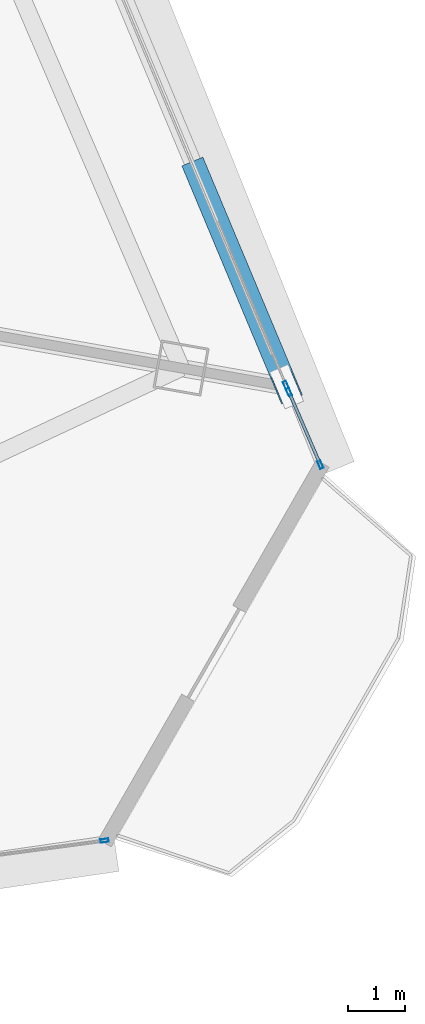
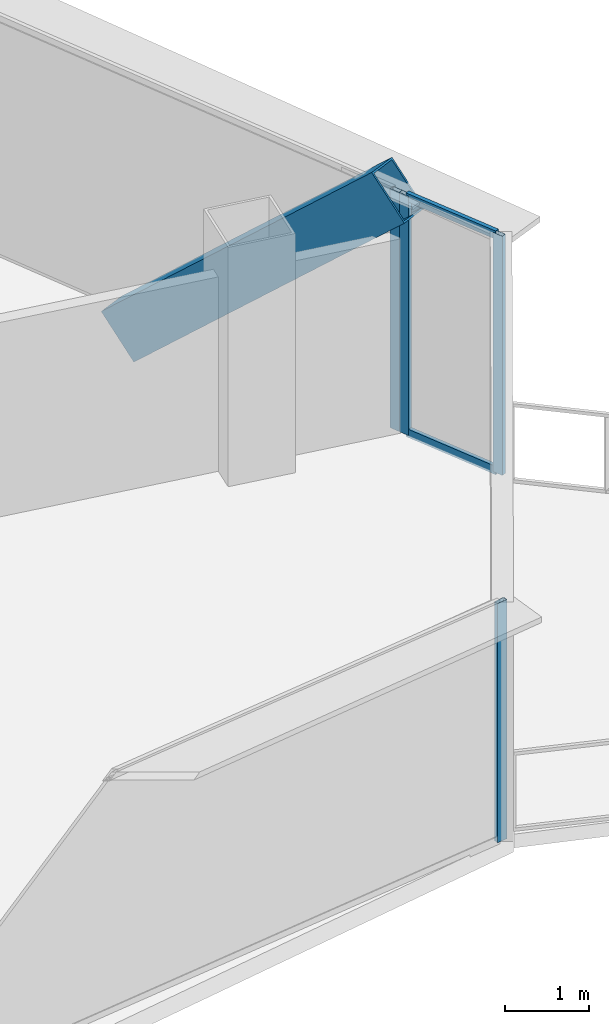
# One storey, part 27 of 37: 7 members, 3 elements without a shape of their own.
"""IFC4 building model written with IfcOpenShell, lengths in metres."""

import ifcopenshell
import ifcopenshell.guid

model = None  # the IFC model being written
_history = None  # IfcOwnerHistory: only IFC2X3 demands one
_inside = {}  # id of a spatial element -> (the spatial element, [elements in it])
_under = {}  # id of a project, library or spatial element -> (it, [spatial elements below it])
_declared = {}  # id of a project -> (the project, [libraries it declares])
_typed = {}  # id of a type object -> (the type object, [elements of that type])
_made_of = {}  # id of a material, layer set ... -> (it, [elements and type objects made of it])


def new_model(schema):
    """Start an empty IFC model of exactly this schema.

    Asked for "IFC4X3", IfcOpenShell would pick the latest addendum, in which some entities
    have other attributes; the version numbers below select the first issue.
    IFC2X3 requires an IfcOwnerHistory on every rooted entity: one is made here for all.
    """
    global model, _history
    if schema == "IFC4X3":
        model = ifcopenshell.file(schema_version=(4, 3, 0, 0))
    else:
        model = ifcopenshell.file(schema=schema)
    _inside.clear()
    _under.clear()
    _declared.clear()
    _typed.clear()
    _made_of.clear()
    _history = None
    if model.schema == "IFC2X3":
        org = make("IfcOrganization", Name="unknown")
        user = make(
            "IfcPersonAndOrganization",
            ThePerson=make("IfcPerson", FamilyName="unknown"),
            TheOrganization=org,
        )
        app = make(
            "IfcApplication",
            ApplicationDeveloper=org,
            Version="unknown",
            ApplicationFullName="unknown",
            ApplicationIdentifier="unknown",
        )
        _history = make(
            "IfcOwnerHistory",
            OwningUser=user,
            OwningApplication=app,
            ChangeAction="ADDED",
            CreationDate=0,
        )
    return model


def make(cls, **values):
    """One entity of the class cls with the attributes given. An attribute that is None is left unset."""
    return model.create_entity(
        cls, **{name: value for name, value in values.items() if value is not None}
    )


def rooted(cls, **values):
    """An entity with a GlobalId (a new one), such as an element, a storey or a relation."""
    return make(cls, GlobalId=ifcopenshell.guid.new(), OwnerHistory=_history, **values)


def si_unit(unit_type, name, prefix=None):
    """IfcSIUnit, for example si_unit("LENGTHUNIT", "METRE", prefix="MILLI")."""
    return make("IfcSIUnit", UnitType=unit_type, Prefix=prefix, Name=name)


def assignment(units):
    """IfcUnitAssignment: the units of a project."""
    return None if units is None else make("IfcUnitAssignment", Units=units)


def point(xyz):
    """IfcCartesianPoint."""
    return None if xyz is None else make("IfcCartesianPoint", Coordinates=xyz)


def direction(xyz):
    """IfcDirection."""
    return None if xyz is None else make("IfcDirection", DirectionRatios=xyz)


def frame(location, z_axis=None, x_axis=None):
    """IfcAxis2Placement3D, a coordinate frame: its origin and axes. An axis left out is left unset."""
    return make(
        "IfcAxis2Placement3D",
        Location=point(location),
        Axis=direction(z_axis),
        RefDirection=direction(x_axis),
    )


def frame_2d(location, x_axis=None):
    """IfcAxis2Placement2D, a coordinate frame in the plane: its origin and x axis."""
    return make(
        "IfcAxis2Placement2D", Location=point(location), RefDirection=direction(x_axis)
    )


def origin():
    """The frame at (0, 0, 0) with its axes left unset."""
    return frame((0.0, 0.0, 0.0))


def origin_2d():
    """The frame at (0, 0) in the plane with its x axis left unset."""
    return frame_2d((0.0, 0.0))


def place(relative_to, where):
    """IfcLocalPlacement: puts the frame where relative to a parent placement (None: the world)."""
    return make(
        "IfcLocalPlacement", PlacementRelTo=relative_to, RelativePlacement=where
    )


def context(
    kind, dimensions, precision=None, world=None, true_north=None, identifier=None
):
    """IfcGeometricRepresentationContext, for example the 3D "Model" context."""
    return make(
        "IfcGeometricRepresentationContext",
        ContextIdentifier=identifier,
        ContextType=kind,
        CoordinateSpaceDimension=dimensions,
        Precision=precision,
        WorldCoordinateSystem=world,
        TrueNorth=true_north,
    )


def subcontext(parent, identifier, kind, view, scale=None):
    """IfcGeometricRepresentationSubContext, for example "Body" below "Model"."""
    return make(
        "IfcGeometricRepresentationSubContext",
        ContextIdentifier=identifier,
        ContextType=kind,
        ParentContext=parent,
        TargetScale=scale,
        TargetView=view,
    )


def project(units=None, contexts=None):
    """IfcProject with its units and contexts."""
    return rooted(
        "IfcProject",
        Name="project",
        RepresentationContexts=contexts,
        UnitsInContext=assignment(units),
    )


def spatial(cls, under=None, at=None, **own):
    """A site, building, storey or space (cls), placed at a placement, below another one or the project."""
    s = rooted(cls, ObjectPlacement=at, **own)
    if under is not None:
        _under.setdefault(under.id(), (under, []))[1].append(s)
    return s


def profile(cls, at=None, kind="AREA", **sizes):
    """A parametric profile (cls). Its sizes go by their IFC names, for example OverallWidth=200.0."""
    return make(cls, ProfileType=kind, Position=at, **sizes)


def hollow_rectangle(**sizes):
    """IfcRectangleHollowProfileDef."""
    return profile("IfcRectangleHollowProfileDef", **sizes)


def extrude(swept, where, along, depth):
    """IfcExtrudedAreaSolid: the profile swept, set in the frame where, extruded along a direction by depth."""
    return make(
        "IfcExtrudedAreaSolid",
        SweptArea=swept,
        Position=where,
        ExtrudedDirection=direction(along),
        Depth=depth,
    )


def shape(context_of_items, identifier, shape_type, items):
    """IfcShapeRepresentation: the items that make up one representation, for example the "Body"."""
    return make(
        "IfcShapeRepresentation",
        ContextOfItems=context_of_items,
        RepresentationIdentifier=identifier,
        RepresentationType=shape_type,
        Items=items,
    )


def source(mapping_origin, context_of_items, identifier, shape_type, items):
    """IfcRepresentationMap: a shape defined once, which mapped items show again and again."""
    return make(
        "IfcRepresentationMap",
        MappingOrigin=mapping_origin,
        MappedRepresentation=shape(context_of_items, identifier, shape_type, items),
    )


def transform(
    local_origin,
    x_axis=None,
    y_axis=None,
    z_axis=None,
    scale=None,
    scale2=None,
    scale3=None,
    uniform=True,
):
    """IfcCartesianTransformationOperator3D, or its non-uniform kind. x_axis, y_axis, z_axis: its Axis1, 2, 3."""
    if uniform:
        return make(
            "IfcCartesianTransformationOperator3D",
            Axis1=direction(x_axis),
            Axis2=direction(y_axis),
            LocalOrigin=point(local_origin),
            Scale=scale,
            Axis3=direction(z_axis),
        )
    return make(
        "IfcCartesianTransformationOperator3DnonUniform",
        Axis1=direction(x_axis),
        Axis2=direction(y_axis),
        LocalOrigin=point(local_origin),
        Scale=scale,
        Axis3=direction(z_axis),
        Scale2=scale2,
        Scale3=scale3,
    )


def mapped(mapping_source, mapping_target):
    """IfcMappedItem: shows the shape of a source again, moved by a transform."""
    return make(
        "IfcMappedItem", MappingSource=mapping_source, MappingTarget=mapping_target
    )


def material(Name=None, Category=None):
    """IfcMaterial."""
    return make("IfcMaterial", Name=Name, Category=Category)


def layer(
    of_material, thickness, ventilated=None, Name=None, Category=None, Priority=None
):
    """IfcMaterialLayer: one layer of a wall or slab, of a material (None: an air gap)."""
    return make(
        "IfcMaterialLayer",
        Material=of_material,
        LayerThickness=thickness,
        IsVentilated=ventilated,
        Name=Name,
        Category=Category,
        Priority=Priority,
    )


def layer_set(layers, Name=None):
    """IfcMaterialLayerSet."""
    return make("IfcMaterialLayerSet", MaterialLayers=layers, LayerSetName=Name)


def material_profile(
    of_material, cross_section, Name=None, Category=None, Priority=None
):
    """IfcMaterialProfile: a cross section and its material."""
    return make(
        "IfcMaterialProfile",
        Name=Name,
        Material=of_material,
        Profile=cross_section,
        Priority=Priority,
        Category=Category,
    )


def profile_set(profiles, Name=None, composite=None):
    """IfcMaterialProfileSet."""
    return make(
        "IfcMaterialProfileSet",
        Name=Name,
        MaterialProfiles=profiles,
        CompositeProfile=composite,
    )


def made_of(thing, what):
    """Note that an element or type object is made of a material, layer set ...; save() writes the relation."""
    if what is not None:
        _made_of.setdefault(what.id(), (what, []))[1].append(thing)
    return thing


def type_object(cls, material=None, **own):
    """A type object (cls), such as IfcWallType, which elements share."""
    return made_of(rooted(cls, **own), material)


def element(
    cls,
    number,
    at=None,
    inside=None,
    cuts=None,
    type_object=None,
    material=None,
    context=None,
    identifier="Body",
    shape_type=None,
    held_by="IfcProductDefinitionShape",
    body=None,
    shapes=None,
    **own,
):
    """One element of the class cls, such as IfcWall. Its Tag is "e" and its number.

    at: its placement. inside: the storey or other place that contains it. cuts: it is an
    opening in that element (IfcRelVoidsElement). A single representation is given by context,
    identifier, shape_type and body (its items); several are given by shapes. held_by: the class
    of the entity that holds the representations. save() writes the other relations.
    """
    e = rooted(cls, Tag="e%d" % number, ObjectPlacement=at, **own)
    if body is not None:
        shapes = [shape(context, identifier, shape_type, body)]
    if shapes is not None:
        e.Representation = make(held_by, Representations=shapes)
    if inside is not None:
        _inside.setdefault(inside.id(), (inside, []))[1].append(e)
    if cuts is not None:
        rooted(
            "IfcRelVoidsElement", RelatingBuildingElement=cuts, RelatedOpeningElement=e
        )
    if type_object is not None:
        _typed.setdefault(type_object.id(), (type_object, []))[1].append(e)
    return made_of(e, material)


def aggregate(whole, parts):
    """IfcRelAggregates: a whole, such as a stair, and the parts it consists of."""
    return rooted("IfcRelAggregates", RelatingObject=whole, RelatedObjects=parts)


def save(model, path):
    """Write the relations noted so far, then the file.

    IfcRelAggregates (storeys below a building ...), IfcRelContainedInSpatialStructure (elements
    in a storey), IfcRelDefinesByType, IfcRelAssociatesMaterial and IfcRelDeclares: one each for
    every whole, place, type object, material and project.
    """
    for whole, parts in _under.values():
        aggregate(whole, parts)
    for where, things in _inside.values():
        rooted(
            "IfcRelContainedInSpatialStructure",
            RelatedElements=things,
            RelatingStructure=where,
        )
    for kind, things in _typed.values():
        rooted("IfcRelDefinesByType", RelatedObjects=things, RelatingType=kind)
    for what, things in _made_of.values():
        rooted("IfcRelAssociatesMaterial", RelatedObjects=things, RelatingMaterial=what)
    for by, libraries in _declared.values():
        rooted("IfcRelDeclares", RelatingContext=by, RelatedDefinitions=libraries)
    model.write(path)


model = new_model("IFC4")

# Units and contexts
model_context = context("Model", 3, precision=1e-05, world=origin(), true_north=direction((0.0, 1.0)))
body_context = subcontext(model_context, "Body", "Model", "MODEL_VIEW")
ifc_project = project(units=[si_unit("LENGTHUNIT", "METRE"), si_unit("AREAUNIT", "SQUARE_METRE"), si_unit("VOLUMEUNIT", "CUBIC_METRE"), si_unit("PLANEANGLEUNIT", "RADIAN"), si_unit("MASSUNIT", "GRAM", prefix="KILO"), si_unit("THERMODYNAMICTEMPERATUREUNIT", "KELVIN"), si_unit("POWERUNIT", "WATT")], contexts=[model_context])

# Site, building, storey
site_placement = place(None, origin())
site = spatial("IfcSite", under=ifc_project, at=site_placement, CompositionType="ELEMENT")
building_placement = place(site_placement, origin())
building = spatial("IfcBuilding", under=site, at=building_placement, Name="Yunzhuo Pagoda Commons", CompositionType="ELEMENT")
storey_placement = place(building_placement, frame((0.0, 0.0, 251.989990234375)))
storey = spatial("IfcBuildingStorey", under=building, at=storey_placement, Name="L63", CompositionType="ELEMENT", Elevation=251.989990234375)

# Member
ifc_material_1 = material(Name="Structural steel Q355B", Category="steel")
ifc_material_profile_1 = material_profile(ifc_material_1, hollow_rectangle(XDim=0.39990234375, YDim=0.719970703125, WallThickness=0.02392578125, at=origin_2d()), Name="Structural steel Q355B")
ifc_profile_set_1 = profile_set([ifc_material_profile_1], Name="Structural steel Q355B")
member_type_1 = type_object("IfcMemberType", Name="M-DL2 Brace BOX 720x400x24", PredefinedType="BRACE", material=ifc_profile_set_1)
shared_shape_1 = source(origin(), body_context, "Body", "SweptSolid", [
    extrude(hollow_rectangle(XDim=0.39990234375, YDim=0.719970703125, WallThickness=0.02392578125, at=origin_2d()), origin(), (0.0, 0.0, 1.0), 5.49853515625),
])
member_1_placement = place(storey_placement, frame((80.22607421875, 31.469482421875, -0.259765625), z_axis=(0.283722982297, -0.677782679931, 0.678315493043), x_axis=(0.922440988301, 0.386138088126, 0.0)))
element("IfcMember", 1, at=member_1_placement, inside=storey, type_object=member_type_1, Name="L63 facade diamond brace F2.1L", PredefinedType="BRACE", context=body_context, shape_type="MappedRepresentation", body=[
    mapped(shared_shape_1, transform((0.0, 0.0, 0.0), scale=1.0)),
])

# Curtain wall, member
ifc_material_2 = material(Name="Anodized aluminium 6063-T6", Category="aluminium")
ifc_layer = layer(ifc_material_2, 0.139892578125)
ifc_layer_set = layer_set([ifc_layer], Name="Anodized aluminium 6063-T6")
curtain_wall_type = type_object("IfcCurtainWallType", Name="CW-HI High-Zone Ribbon Curtain Wall", PredefinedType="NOTDEFINED", material=ifc_layer_set)
curtain_wall_1_placement = place(storey_placement, origin())
curtain_wall_1 = element("IfcCurtainWall", 2, at=curtain_wall_1_placement, inside=storey, type_object=curtain_wall_type, Name="L63 curtain wall CW-L63-F1B5", PredefinedType="NOTDEFINED")
ifc_material_profile_2 = material_profile(ifc_material_2, hollow_rectangle(XDim=0.06005859375, YDim=0.139892578125, WallThickness=0.00341796875, at=origin_2d()), Name="Anodized aluminium 6063-T6")
ifc_profile_set_2 = profile_set([ifc_material_profile_2], Name="Anodized aluminium 6063-T6")
member_type_2 = type_object("IfcMemberType", Name="CW-HI-M Mullion RHS 140x60x3.5", PredefinedType="MULLION", material=ifc_profile_set_2)
shared_shape_2 = source(origin(), body_context, "Body", "SweptSolid", [
    extrude(hollow_rectangle(XDim=0.06005859375, YDim=0.139892578125, WallThickness=0.00341796875, at=origin_2d()), origin(), (0.0, 0.0, 1.0), 3.469970703125),
])
member_2_placement = place(storey_placement, frame((78.5908203125, 19.772216796875, 0.0), z_axis=(0.0, 0.0, 1.0), x_axis=(-0.132663916926, 0.991161079314, 0.0)))
member_2 = element("IfcMember", 3, at=member_2_placement, type_object=member_type_2, Name="CW mullion 2", PredefinedType="MULLION", context=body_context, shape_type="MappedRepresentation", body=[
    mapped(shared_shape_2, transform((0.0, 0.0, 0.0), scale=1.0)),
])
aggregate(curtain_wall_1, [member_2])

curtain_wall_2_placement = place(storey_placement, origin())
curtain_wall_2 = element("IfcCurtainWall", 4, at=curtain_wall_2_placement, inside=storey, type_object=curtain_wall_type, Name="L63 curtain wall CW-L63-F2B2", PredefinedType="NOTDEFINED")
member_3_placement = place(storey_placement, frame((81.7744140625, 27.770263671875, 0.0), z_axis=(0.0, 0.0, 1.0), x_axis=(-0.922450521644, -0.38611531324, 0.0)))
member_3 = element("IfcMember", 5, at=member_3_placement, type_object=member_type_2, Name="CW mullion 1", PredefinedType="MULLION", context=body_context, shape_type="MappedRepresentation", body=[
    mapped(shared_shape_2, transform((0.0, 0.0, 0.0), scale=1.0)),
])
aggregate(curtain_wall_2, [member_3])

# Curtain wall, members
curtain_wall_3_placement = place(storey_placement, origin())
curtain_wall_3 = element("IfcCurtainWall", 6, at=curtain_wall_3_placement, inside=storey, type_object=curtain_wall_type, Name="L63 curtain wall CW-L63-F2B1", PredefinedType="NOTDEFINED")
member_4_placement = place(storey_placement, frame((82.379638671875, 26.37158203125, 0.0), z_axis=(0.0, 0.0, 1.0), x_axis=(-0.917707471295, -0.397256840254, 0.0)))
member_4 = element("IfcMember", 7, at=member_4_placement, type_object=member_type_2, Name="CW mullion 1", PredefinedType="MULLION", context=body_context, shape_type="MappedRepresentation", body=[
    mapped(shared_shape_2, transform((0.0, 0.0, 0.0), scale=1.0)),
])
member_5_placement = place(storey_placement, frame((81.827880859375, 27.646240234375, 0.0), z_axis=(0.0, 0.0, 1.0), x_axis=(-0.917707471295, -0.397256840254, 0.0)))
member_5 = element("IfcMember", 8, at=member_5_placement, type_object=member_type_2, Name="CW mullion 2", PredefinedType="MULLION", context=body_context, shape_type="MappedRepresentation", body=[
    mapped(shared_shape_2, transform((0.0, 0.0, 0.0), scale=1.0)),
])
ifc_material_profile_3 = material_profile(ifc_material_2, hollow_rectangle(XDim=0.054931640625, YDim=0.1201171875, WallThickness=0.00341796875, at=origin_2d()), Name="Anodized aluminium 6063-T6")
ifc_profile_set_3 = profile_set([ifc_material_profile_3], Name="Anodized aluminium 6063-T6")
member_type_3 = type_object("IfcMemberType", Name="CW-HI-T Transom RHS 120x55x3.5", PredefinedType="USERDEFINED", material=ifc_profile_set_3)
shared_shape_3 = source(origin(), body_context, "Body", "SweptSolid", [
    extrude(hollow_rectangle(XDim=0.054931640625, YDim=0.1201171875, WallThickness=0.00341796875, at=origin_2d()), origin(), (0.0, 0.0, 1.0), 1.328857421875),
])
member_6_placement = place(storey_placement, frame((82.36767578125, 26.399169921875, 0.027587890625), z_axis=(-0.39722069625, 0.917723116452, 0.0), x_axis=(-0.917723116452, -0.39722069625, 0.0)))
member_6 = element("IfcMember", 9, at=member_6_placement, type_object=member_type_3, Name="CW transom 1.1", ObjectType="TRANSOM", PredefinedType="USERDEFINED", context=body_context, shape_type="MappedRepresentation", body=[
    mapped(shared_shape_3, transform((0.0, 0.0, 0.0), scale=1.0)),
])
member_7_placement = place(storey_placement, frame((82.36767578125, 26.399169921875, 3.442626953125), z_axis=(-0.39722069625, 0.917723116452, 0.0), x_axis=(-0.917723116452, -0.39722069625, 0.0)))
member_7 = element("IfcMember", 10, at=member_7_placement, type_object=member_type_3, Name="CW transom 1.2", ObjectType="TRANSOM", PredefinedType="USERDEFINED", context=body_context, shape_type="MappedRepresentation", body=[
    mapped(shared_shape_3, transform((0.0, 0.0, 0.0), scale=1.0)),
])
aggregate(curtain_wall_3, [member_4, member_5, member_6, member_7])

save(model, "model.ifc")
